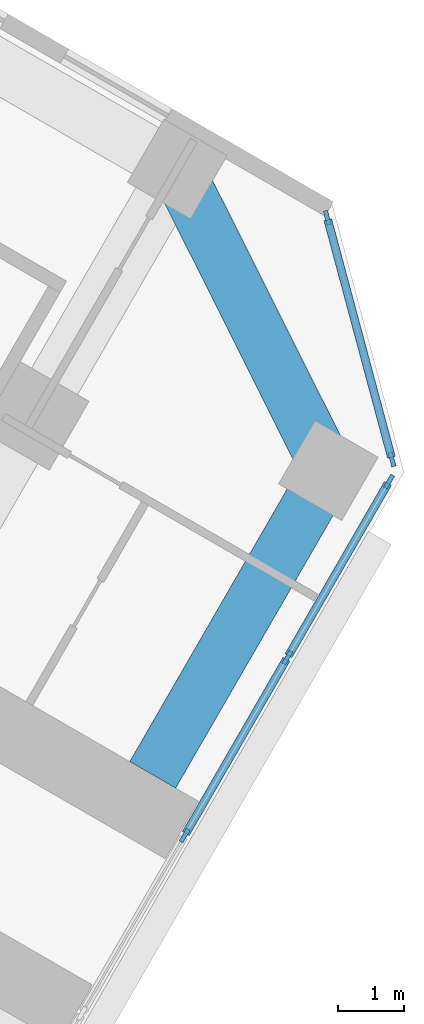
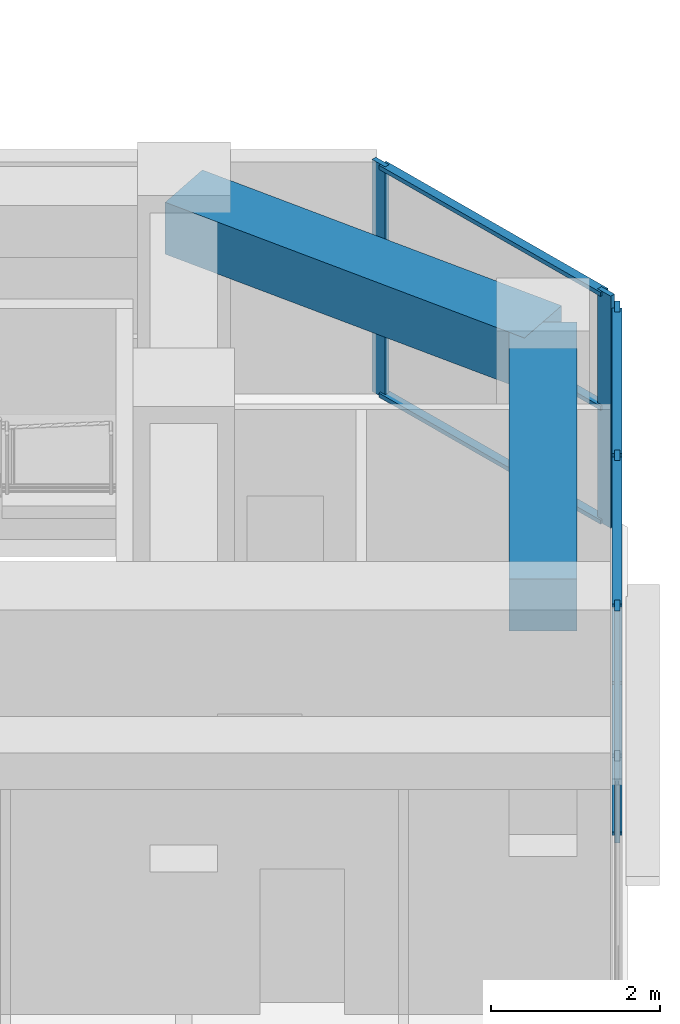
# One storey, part 6 of 18: 12 members, 2 beams, 2 elements without a shape of their own.
"""IFC4 building model written with IfcOpenShell, lengths in metres."""

import ifcopenshell
import ifcopenshell.guid

model = None  # the IFC model being written
_history = None  # IfcOwnerHistory: only IFC2X3 demands one
_inside = {}  # id of a spatial element -> (the spatial element, [elements in it])
_under = {}  # id of a project, library or spatial element -> (it, [spatial elements below it])
_declared = {}  # id of a project -> (the project, [libraries it declares])
_typed = {}  # id of a type object -> (the type object, [elements of that type])
_made_of = {}  # id of a material, layer set ... -> (it, [elements and type objects made of it])


def new_model(schema):
    """Start an empty IFC model of exactly this schema.

    Asked for "IFC4X3", IfcOpenShell would pick the latest addendum, in which some entities
    have other attributes; the version numbers below select the first issue.
    IFC2X3 requires an IfcOwnerHistory on every rooted entity: one is made here for all.
    """
    global model, _history
    if schema == "IFC4X3":
        model = ifcopenshell.file(schema_version=(4, 3, 0, 0))
    else:
        model = ifcopenshell.file(schema=schema)
    _inside.clear()
    _under.clear()
    _declared.clear()
    _typed.clear()
    _made_of.clear()
    _history = None
    if model.schema == "IFC2X3":
        org = make("IfcOrganization", Name="unknown")
        user = make(
            "IfcPersonAndOrganization",
            ThePerson=make("IfcPerson", FamilyName="unknown"),
            TheOrganization=org,
        )
        app = make(
            "IfcApplication",
            ApplicationDeveloper=org,
            Version="unknown",
            ApplicationFullName="unknown",
            ApplicationIdentifier="unknown",
        )
        _history = make(
            "IfcOwnerHistory",
            OwningUser=user,
            OwningApplication=app,
            ChangeAction="ADDED",
            CreationDate=0,
        )
    return model


def make(cls, **values):
    """One entity of the class cls with the attributes given. An attribute that is None is left unset."""
    return model.create_entity(
        cls, **{name: value for name, value in values.items() if value is not None}
    )


def rooted(cls, **values):
    """An entity with a GlobalId (a new one), such as an element, a storey or a relation."""
    return make(cls, GlobalId=ifcopenshell.guid.new(), OwnerHistory=_history, **values)


def si_unit(unit_type, name, prefix=None):
    """IfcSIUnit, for example si_unit("LENGTHUNIT", "METRE", prefix="MILLI")."""
    return make("IfcSIUnit", UnitType=unit_type, Prefix=prefix, Name=name)


def assignment(units):
    """IfcUnitAssignment: the units of a project."""
    return None if units is None else make("IfcUnitAssignment", Units=units)


def point(xyz):
    """IfcCartesianPoint."""
    return None if xyz is None else make("IfcCartesianPoint", Coordinates=xyz)


def direction(xyz):
    """IfcDirection."""
    return None if xyz is None else make("IfcDirection", DirectionRatios=xyz)


def frame(location, z_axis=None, x_axis=None):
    """IfcAxis2Placement3D, a coordinate frame: its origin and axes. An axis left out is left unset."""
    return make(
        "IfcAxis2Placement3D",
        Location=point(location),
        Axis=direction(z_axis),
        RefDirection=direction(x_axis),
    )


def frame_2d(location, x_axis=None):
    """IfcAxis2Placement2D, a coordinate frame in the plane: its origin and x axis."""
    return make(
        "IfcAxis2Placement2D", Location=point(location), RefDirection=direction(x_axis)
    )


def origin():
    """The frame at (0, 0, 0) with its axes left unset."""
    return frame((0.0, 0.0, 0.0))


def origin_2d():
    """The frame at (0, 0) in the plane with its x axis left unset."""
    return frame_2d((0.0, 0.0))


def place(relative_to, where):
    """IfcLocalPlacement: puts the frame where relative to a parent placement (None: the world)."""
    return make(
        "IfcLocalPlacement", PlacementRelTo=relative_to, RelativePlacement=where
    )


def context(
    kind, dimensions, precision=None, world=None, true_north=None, identifier=None
):
    """IfcGeometricRepresentationContext, for example the 3D "Model" context."""
    return make(
        "IfcGeometricRepresentationContext",
        ContextIdentifier=identifier,
        ContextType=kind,
        CoordinateSpaceDimension=dimensions,
        Precision=precision,
        WorldCoordinateSystem=world,
        TrueNorth=true_north,
    )


def subcontext(parent, identifier, kind, view, scale=None):
    """IfcGeometricRepresentationSubContext, for example "Body" below "Model"."""
    return make(
        "IfcGeometricRepresentationSubContext",
        ContextIdentifier=identifier,
        ContextType=kind,
        ParentContext=parent,
        TargetScale=scale,
        TargetView=view,
    )


def project(units=None, contexts=None):
    """IfcProject with its units and contexts."""
    return rooted(
        "IfcProject",
        Name="project",
        RepresentationContexts=contexts,
        UnitsInContext=assignment(units),
    )


def spatial(cls, under=None, at=None, **own):
    """A site, building, storey or space (cls), placed at a placement, below another one or the project."""
    s = rooted(cls, ObjectPlacement=at, **own)
    if under is not None:
        _under.setdefault(under.id(), (under, []))[1].append(s)
    return s


def profile(cls, at=None, kind="AREA", **sizes):
    """A parametric profile (cls). Its sizes go by their IFC names, for example OverallWidth=200.0."""
    return make(cls, ProfileType=kind, Position=at, **sizes)


def rectangle(**sizes):
    """IfcRectangleProfileDef."""
    return profile("IfcRectangleProfileDef", **sizes)


def extrude(swept, where, along, depth):
    """IfcExtrudedAreaSolid: the profile swept, set in the frame where, extruded along a direction by depth."""
    return make(
        "IfcExtrudedAreaSolid",
        SweptArea=swept,
        Position=where,
        ExtrudedDirection=direction(along),
        Depth=depth,
    )


def shape(context_of_items, identifier, shape_type, items):
    """IfcShapeRepresentation: the items that make up one representation, for example the "Body"."""
    return make(
        "IfcShapeRepresentation",
        ContextOfItems=context_of_items,
        RepresentationIdentifier=identifier,
        RepresentationType=shape_type,
        Items=items,
    )


def material(Name=None, Category=None):
    """IfcMaterial."""
    return make("IfcMaterial", Name=Name, Category=Category)


def material_profile(
    of_material, cross_section, Name=None, Category=None, Priority=None
):
    """IfcMaterialProfile: a cross section and its material."""
    return make(
        "IfcMaterialProfile",
        Name=Name,
        Material=of_material,
        Profile=cross_section,
        Priority=Priority,
        Category=Category,
    )


def profile_set(profiles, Name=None, composite=None):
    """IfcMaterialProfileSet."""
    return make(
        "IfcMaterialProfileSet",
        Name=Name,
        MaterialProfiles=profiles,
        CompositeProfile=composite,
    )


def made_of(thing, what):
    """Note that an element or type object is made of a material, layer set ...; save() writes the relation."""
    if what is not None:
        _made_of.setdefault(what.id(), (what, []))[1].append(thing)
    return thing


def type_object(cls, material=None, **own):
    """A type object (cls), such as IfcWallType, which elements share."""
    return made_of(rooted(cls, **own), material)


def element(
    cls,
    number,
    at=None,
    inside=None,
    cuts=None,
    type_object=None,
    material=None,
    context=None,
    identifier="Body",
    shape_type=None,
    held_by="IfcProductDefinitionShape",
    body=None,
    shapes=None,
    **own,
):
    """One element of the class cls, such as IfcWall. Its Tag is "e" and its number.

    at: its placement. inside: the storey or other place that contains it. cuts: it is an
    opening in that element (IfcRelVoidsElement). A single representation is given by context,
    identifier, shape_type and body (its items); several are given by shapes. held_by: the class
    of the entity that holds the representations. save() writes the other relations.
    """
    e = rooted(cls, Tag="e%d" % number, ObjectPlacement=at, **own)
    if body is not None:
        shapes = [shape(context, identifier, shape_type, body)]
    if shapes is not None:
        e.Representation = make(held_by, Representations=shapes)
    if inside is not None:
        _inside.setdefault(inside.id(), (inside, []))[1].append(e)
    if cuts is not None:
        rooted(
            "IfcRelVoidsElement", RelatingBuildingElement=cuts, RelatedOpeningElement=e
        )
    if type_object is not None:
        _typed.setdefault(type_object.id(), (type_object, []))[1].append(e)
    return made_of(e, material)


def aggregate(whole, parts):
    """IfcRelAggregates: a whole, such as a stair, and the parts it consists of."""
    return rooted("IfcRelAggregates", RelatingObject=whole, RelatedObjects=parts)


def save(model, path):
    """Write the relations noted so far, then the file.

    IfcRelAggregates (storeys below a building ...), IfcRelContainedInSpatialStructure (elements
    in a storey), IfcRelDefinesByType, IfcRelAssociatesMaterial and IfcRelDeclares: one each for
    every whole, place, type object, material and project.
    """
    for whole, parts in _under.values():
        aggregate(whole, parts)
    for where, things in _inside.values():
        rooted(
            "IfcRelContainedInSpatialStructure",
            RelatedElements=things,
            RelatingStructure=where,
        )
    for kind, things in _typed.values():
        rooted("IfcRelDefinesByType", RelatedObjects=things, RelatingType=kind)
    for what, things in _made_of.values():
        rooted("IfcRelAssociatesMaterial", RelatedObjects=things, RelatingMaterial=what)
    for by, libraries in _declared.values():
        rooted("IfcRelDeclares", RelatingContext=by, RelatedDefinitions=libraries)
    model.write(path)


model = new_model("IFC4")

# Units and contexts
model_context = context("Model", 3, precision=1e-05, world=origin(), true_north=direction((0.0, 1.0)))
body_context = subcontext(model_context, "Body", "Model", "MODEL_VIEW")
ifc_project = project(units=[si_unit("LENGTHUNIT", "METRE"), si_unit("AREAUNIT", "SQUARE_METRE"), si_unit("VOLUMEUNIT", "CUBIC_METRE"), si_unit("PLANEANGLEUNIT", "RADIAN"), si_unit("MASSUNIT", "GRAM", prefix="KILO")], contexts=[model_context])

# Site, building, storey
site_placement = place(None, origin())
site = spatial("IfcSite", under=ifc_project, at=site_placement, CompositionType="ELEMENT")
building_placement = place(site_placement, origin())
building = spatial("IfcBuilding", under=site, at=building_placement, Name="Kosmar Iwan School Tower", CompositionType="ELEMENT")
storey_placement = place(building_placement, frame((0.0, 0.0, 25.199951171875)))
storey = spatial("IfcBuildingStorey", under=building, at=storey_placement, Name="L05", CompositionType="ELEMENT", Elevation=25.199951171875)

# Curtain wall, members
ifc_material_1 = material(Name="Dark glass in black aluminium frame", Category="aluminium")
curtain_wall_type_1 = type_object("IfcCurtainWallType", Name="Tower curtain wall dark glass", PredefinedType="USERDEFINED", material=ifc_material_1)
curtain_wall_1_placement = place(storey_placement, origin())
curtain_wall_1 = element("IfcCurtainWall", 1, at=curtain_wall_1_placement, inside=storey, type_object=curtain_wall_type_1, Name="Curtain wall L05-F03", ObjectType="UNITISED CURTAIN WALL", PredefinedType="USERDEFINED")
ifc_material_2 = material(Name="Black anodised aluminium", Category="aluminium")
ifc_material_profile_1 = material_profile(ifc_material_2, rectangle(XDim=0.06494140625, YDim=0.219970703125, at=origin_2d()), Name="MULLION 65x220")
ifc_profile_set_1 = profile_set([ifc_material_profile_1], Name="Black anodised aluminium")
member_type_1 = type_object("IfcMemberType", Name="Podium mullion 65x220", PredefinedType="MULLION", material=ifc_profile_set_1)
member_1_placement = place(storey_placement, frame((30.631103515625, -15.8955078125, 0.0), z_axis=(0.0, 0.0, 1.0), x_axis=(-0.866025405329, 0.499999997325, 0.0)))
member_1 = element("IfcMember", 2, at=member_1_placement, type_object=member_type_1, Name="CW1 mullion 4", PredefinedType="MULLION", context=body_context, shape_type="SweptSolid", body=[
    extrude(rectangle(XDim=0.06494140625, YDim=0.219970703125, at=origin_2d()), origin(), (0.0, 0.0, 1.0), 3.35009765625),
])
member_2_placement = place(storey_placement, frame((32.1806640625, -13.21142578125, 0.0), z_axis=(0.0, 0.0, 1.0), x_axis=(-0.866025405329, 0.499999997325, 0.0)))
member_2 = element("IfcMember", 3, at=member_2_placement, type_object=member_type_1, Name="CW1 mullion 5", PredefinedType="MULLION", context=body_context, shape_type="SweptSolid", body=[
    extrude(rectangle(XDim=0.06494140625, YDim=0.219970703125, at=origin_2d()), origin(), (0.0, 0.0, 1.0), 3.35009765625),
])
member_3_placement = place(storey_placement, frame((33.714111328125, -10.555419921875, 0.0), z_axis=(0.0, 0.0, 1.0), x_axis=(-0.866025405329, 0.499999997325, 0.0)))
member_3 = element("IfcMember", 4, at=member_3_placement, type_object=member_type_1, Name="CW1 mullion 6", PredefinedType="MULLION", context=body_context, shape_type="SweptSolid", body=[
    extrude(rectangle(XDim=0.06494140625, YDim=0.219970703125, at=origin_2d()), origin(), (0.0, 0.0, 1.0), 3.35009765625),
])

ifc_material_3 = material(Name="Dark glass in black aluminium frame", Category="aluminium")
curtain_wall_type_2 = type_object("IfcCurtainWallType", Name="Chamfer curtain wall dark glass", PredefinedType="USERDEFINED", material=ifc_material_3)
curtain_wall_2_placement = place(storey_placement, origin())
curtain_wall_2 = element("IfcCurtainWall", 5, at=curtain_wall_2_placement, inside=storey, type_object=curtain_wall_type_2, Name="Curtain wall L05-F04", ObjectType="FACETED CURTAIN WALL", PredefinedType="USERDEFINED")
member_4_placement = place(storey_placement, frame((33.758056640625, -10.22119140625, 0.0), z_axis=(0.0, 0.0, 1.0), x_axis=(-0.965925875495, -0.258818861462, 0.0)))
member_4 = element("IfcMember", 6, at=member_4_placement, type_object=member_type_1, Name="CW2 mullion 1", PredefinedType="MULLION", context=body_context, shape_type="SweptSolid", body=[
    extrude(rectangle(XDim=0.06494140625, YDim=0.219970703125, at=origin_2d()), origin(), (0.0, 0.0, 1.0), 3.35009765625),
])
member_5_placement = place(storey_placement, frame((32.78125, -6.57568359375, 0.0), z_axis=(0.0, 0.0, 1.0), x_axis=(-0.965925875495, -0.258818861462, 0.0)))
member_5 = element("IfcMember", 7, at=member_5_placement, type_object=member_type_1, Name="CW2 mullion 2", PredefinedType="MULLION", context=body_context, shape_type="SweptSolid", body=[
    extrude(rectangle(XDim=0.06494140625, YDim=0.219970703125, at=origin_2d()), origin(), (0.0, 0.0, 1.0), 3.35009765625),
])

# Beams
ifc_material_4 = material(Name="Concrete C50/60", Category="concrete")
ifc_material_profile_2 = material_profile(ifc_material_4, rectangle(XDim=0.800048828125, YDim=0.75, at=origin_2d()), Name="RC 800x750")
ifc_profile_set_2 = profile_set([ifc_material_profile_2], Name="Concrete C50/60")
beam_type = type_object("IfcBeamType", Name="RC tip beam 800x750", PredefinedType="BEAM", material=ifc_profile_set_2)
beam_1_placement = place(storey_placement, frame((30.517822265625, -5.841552734375, 2.97509765625), z_axis=(0.44809604203, -0.893985423325, 0.0), x_axis=(0.893985423325, 0.44809604203, 0.0)))
element("IfcBeam", 8, at=beam_1_placement, inside=storey, type_object=beam_type, Name="Tip beam CL", PredefinedType="BEAM", context=body_context, shape_type="SweptSolid", body=[
    extrude(rectangle(XDim=0.800048828125, YDim=0.75, at=origin_2d()), origin(), (0.0, 0.0, 1.0), 5.08935546875),
])
beam_2_placement = place(storey_placement, frame((32.79833984375, -10.391357421875, 2.97509765625), z_axis=(-0.499973660256, -0.866040610509, 0.0), x_axis=(0.866040610509, -0.499973660256, 0.0)))
element("IfcBeam", 9, at=beam_2_placement, inside=storey, type_object=beam_type, Name="Tip beam CL to corridor wall", PredefinedType="BEAM", context=body_context, shape_type="SweptSolid", body=[
    extrude(rectangle(XDim=0.800048828125, YDim=0.75, at=origin_2d()), origin(), (0.0, 0.0, 1.0), 5.300048828125),
])

# Member
ifc_material_5 = material(Name="Black anodised aluminium", Category="aluminium")
ifc_material_profile_3 = material_profile(ifc_material_5, rectangle(XDim=0.1201171875, YDim=0.06005859375, at=origin_2d()), Name="TRANSOM 60x120")
ifc_profile_set_3 = profile_set([ifc_material_profile_3], Name="Black anodised aluminium")
member_type_2 = type_object("IfcMemberType", Name="Transom 60x120", PredefinedType="USERDEFINED", material=ifc_profile_set_3)
member_6_placement = place(storey_placement, frame((30.647216796875, -15.867431640625, 0.030029296875), z_axis=(0.500024238858, 0.866011409021, 0.0), x_axis=(-0.866011409021, 0.500024238858, 0.0)))
member_6 = element("IfcMember", 10, at=member_6_placement, type_object=member_type_2, Name="CW1 transom 4.1", ObjectType="TRANSOM", PredefinedType="USERDEFINED", context=body_context, shape_type="SweptSolid", body=[
    extrude(rectangle(XDim=0.1201171875, YDim=0.06005859375, at=origin_2d()), origin(), (0.0, 0.0, 1.0), 3.034423828125),
])

member_7_placement = place(storey_placement, frame((30.647216796875, -15.867431640625, 3.320068359375), z_axis=(0.500024238858, 0.866011409021, 0.0), x_axis=(-0.866011409021, 0.500024238858, 0.0)))
member_7 = element("IfcMember", 11, at=member_7_placement, type_object=member_type_2, Name="CW1 transom 4.2", ObjectType="TRANSOM", PredefinedType="USERDEFINED", context=body_context, shape_type="SweptSolid", body=[
    extrude(rectangle(XDim=0.1201171875, YDim=0.06005859375, at=origin_2d()), origin(), (0.0, 0.0, 1.0), 3.034423828125),
])

member_8_placement = place(storey_placement, frame((32.197021484375, -13.183349609375, 0.030029296875), z_axis=(0.499961833423, 0.866047438147, 0.0), x_axis=(-0.866047438147, 0.499961833423, 0.0)))
member_8 = element("IfcMember", 12, at=member_8_placement, type_object=member_type_2, Name="CW1 transom 5.1", ObjectType="TRANSOM", PredefinedType="USERDEFINED", context=body_context, shape_type="SweptSolid", body=[
    extrude(rectangle(XDim=0.1201171875, YDim=0.06005859375, at=origin_2d()), origin(), (0.0, 0.0, 1.0), 3.001708984375),
])

member_9_placement = place(storey_placement, frame((32.197021484375, -13.183349609375, 3.320068359375), z_axis=(0.499961833423, 0.866047438147, 0.0), x_axis=(-0.866047438147, 0.499961833423, 0.0)))
member_9 = element("IfcMember", 13, at=member_9_placement, type_object=member_type_2, Name="CW1 transom 5.2", ObjectType="TRANSOM", PredefinedType="USERDEFINED", context=body_context, shape_type="SweptSolid", body=[
    extrude(rectangle(XDim=0.1201171875, YDim=0.06005859375, at=origin_2d()), origin(), (0.0, 0.0, 1.0), 3.001708984375),
])

aggregate(curtain_wall_1, [member_1, member_2, member_3, member_6, member_7, member_8, member_9])

member_10_placement = place(storey_placement, frame((33.749755859375, -10.189697265625, 0.030029296875), z_axis=(-0.258826018906, 0.965923957637, 0.0), x_axis=(-0.965923957637, -0.258826018906, 0.0)))
member_10 = element("IfcMember", 14, at=member_10_placement, type_object=member_type_2, Name="CW2 transom 1.1", ObjectType="TRANSOM", PredefinedType="USERDEFINED", context=body_context, shape_type="SweptSolid", body=[
    extrude(rectangle(XDim=0.1201171875, YDim=0.06005859375, at=origin_2d()), origin(), (0.0, 0.0, 1.0), 3.708984375),
])

member_11_placement = place(storey_placement, frame((33.749755859375, -10.189697265625, 1.675048828125), z_axis=(-0.258826018906, 0.965923957637, 0.0), x_axis=(-0.965923957637, -0.258826018906, 0.0)))
member_11 = element("IfcMember", 15, at=member_11_placement, type_object=member_type_2, Name="CW2 transom 1.2", ObjectType="TRANSOM", PredefinedType="USERDEFINED", context=body_context, shape_type="SweptSolid", body=[
    extrude(rectangle(XDim=0.1201171875, YDim=0.06005859375, at=origin_2d()), origin(), (0.0, 0.0, 1.0), 3.708984375),
])

member_12_placement = place(storey_placement, frame((33.749755859375, -10.189697265625, 3.320068359375), z_axis=(-0.258826018906, 0.965923957637, 0.0), x_axis=(-0.965923957637, -0.258826018906, 0.0)))
member_12 = element("IfcMember", 16, at=member_12_placement, type_object=member_type_2, Name="CW2 transom 1.3", ObjectType="TRANSOM", PredefinedType="USERDEFINED", context=body_context, shape_type="SweptSolid", body=[
    extrude(rectangle(XDim=0.1201171875, YDim=0.06005859375, at=origin_2d()), origin(), (0.0, 0.0, 1.0), 3.708984375),
])

aggregate(curtain_wall_2, [member_4, member_5, member_10, member_11, member_12])

save(model, "model.ifc")
